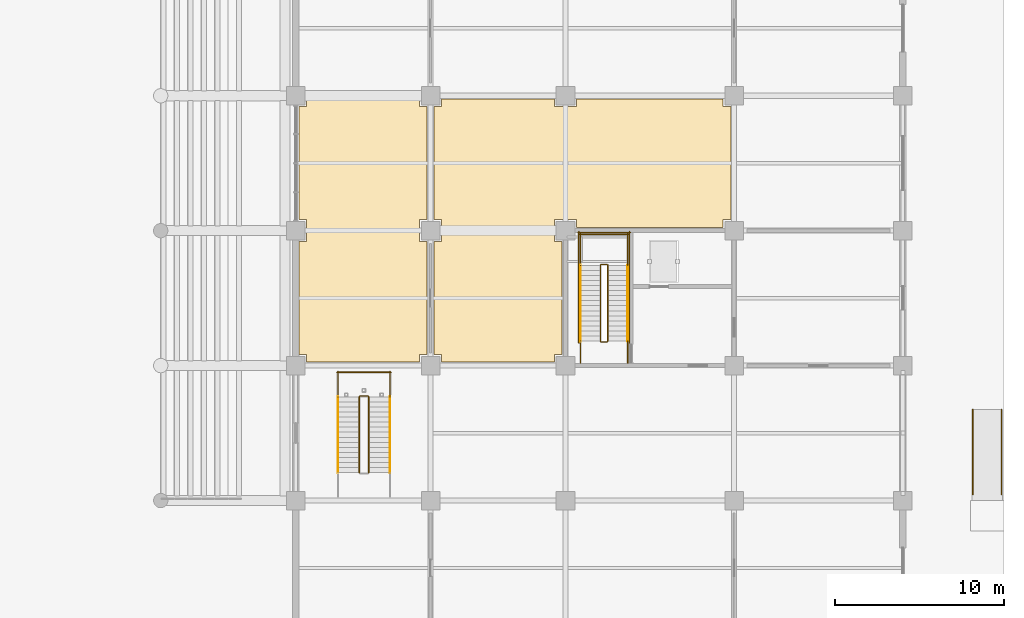
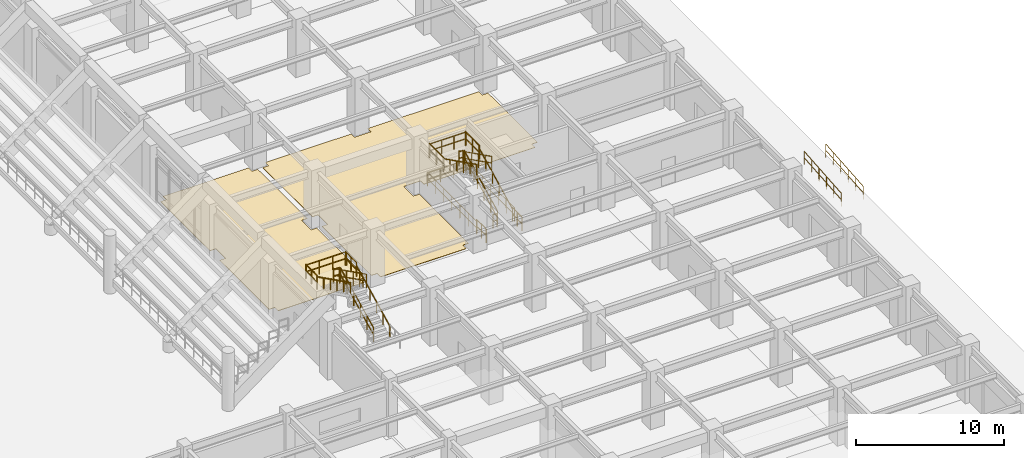
# One storey, part 117 of 125: 24 railings, 2 coverings.
"""IFC4 building model written with IfcOpenShell, lengths in metres."""

from ifc_helpers import new_model, si_unit, direction, frame, origin, origin_2d, place, context, subcontext, project, spatial, polyline, circle, outline, extrude, material, layer, layer_set, type_object, element, save


model = new_model("IFC4")

# Units and contexts
model_context = context("Model", 3, precision=1e-05, world=origin(), true_north=direction((0.0, 1.0)))
body_context = subcontext(model_context, "Body", "Model", "MODEL_VIEW")
ifc_project = project(units=[si_unit("LENGTHUNIT", "METRE"), si_unit("AREAUNIT", "SQUARE_METRE"), si_unit("VOLUMEUNIT", "CUBIC_METRE"), si_unit("PLANEANGLEUNIT", "RADIAN"), si_unit("MASSUNIT", "GRAM", prefix="KILO")], contexts=[model_context])

# Site, building, storey
site_placement = place(None, origin())
site = spatial("IfcSite", under=ifc_project, at=site_placement, CompositionType="ELEMENT")
building_placement = place(site_placement, origin())
building = spatial("IfcBuilding", under=site, at=building_placement, Name="Haebicheon Civic Stadium", CompositionType="ELEMENT")
storey_placement = place(building_placement, origin())
storey = spatial("IfcBuildingStorey", under=building, at=storey_placement, Name="L01", CompositionType="ELEMENT", Elevation=0.0)

# Coverings
ifc_material_1 = material(Name="Quartz epoxy resin mortar", Category="concrete")
ifc_layer = layer(ifc_material_1, 0.030029296875, Name="Quartz epoxy resin mortar")
ifc_layer_set = layer_set([ifc_layer], Name="Quartz epoxy resin mortar")
covering_type = type_object("IfcCoveringType", Name="COV-FLR-EPX", PredefinedType="FLOORING", material=ifc_layer_set)
covering_1_placement = place(storey_placement, origin())
element("IfcCovering", 1, at=covering_1_placement, inside=storey, type_object=covering_type, material=ifc_layer_set, Name="L01 Community Stand Concourse non-slip floor finish", PredefinedType="FLOORING", context=body_context, shape_type="SweptSolid", body=[
    extrude(outline(polyline([(200.64990234375, 64.199951171875), (200.64990234375, 64.64990234375), (200.199951171875, 64.64990234375), (200.199951171875, 71.35009765625), (200.64990234375, 71.35009765625), (200.64990234375, 72.64990234375), (200.199951171875, 72.64990234375), (200.199951171875, 79.35009765625), (200.64990234375, 79.35009765625), (200.64990234375, 79.800048828125), (207.35009765625, 79.800048828125), (207.35009765625, 79.35009765625), (207.800048828125, 79.35009765625), (207.800048828125, 72.64990234375), (207.35009765625, 72.64990234375), (207.35009765625, 71.35009765625), (207.800048828125, 71.35009765625), (207.800048828125, 64.64990234375), (207.35009765625, 64.64990234375), (207.35009765625, 64.199951171875), (200.64990234375, 64.199951171875)])), origin(), (0.0, 0.0, 1.0), 0.030029296875),
])
covering_2_placement = place(storey_placement, origin())
element("IfcCovering", 2, at=covering_2_placement, inside=storey, type_object=covering_type, material=ifc_layer_set, Name="L01 Community Athletics Reception non-slip floor finish", PredefinedType="FLOORING", context=body_context, shape_type="SweptSolid", body=[
    extrude(outline(polyline([(208.64990234375, 64.199951171875), (208.64990234375, 64.64990234375), (208.199951171875, 64.64990234375), (208.199951171875, 71.35009765625), (208.64990234375, 71.35009765625), (208.64990234375, 72.64990234375), (208.199951171875, 72.64990234375), (208.199951171875, 79.35009765625), (208.64990234375, 79.35009765625), (208.64990234375, 79.800048828125), (215.35009765625, 79.800048828125), (215.35009765625, 79.35009765625), (216.64990234375, 79.35009765625), (216.64990234375, 79.800048828125), (225.35009765625, 79.800048828125), (225.35009765625, 79.35009765625), (225.800048828125, 79.35009765625), (225.800048828125, 72.64990234375), (225.35009765625, 72.64990234375), (225.35009765625, 72.199951171875), (216.64990234375, 72.199951171875), (216.64990234375, 72.64990234375), (215.35009765625, 72.64990234375), (215.35009765625, 71.35009765625), (215.800048828125, 71.35009765625), (215.800048828125, 64.64990234375), (215.35009765625, 64.64990234375), (215.35009765625, 64.199951171875), (208.64990234375, 64.199951171875)])), origin(), (0.0, 0.0, 1.0), 0.030029296875),
])

# Railings
ifc_material_2 = material(Name="Stainless steel 316 and laminated glass", Category="steel")
railing_type_1 = type_object("IfcRailingType", Name="RL-BAL-1200", PredefinedType="BALUSTRADE", material=ifc_material_2)
for number, where, name in (
    (3, (240.14990234375, 56.360107421875, -0.419921875), "Ramp handrail guard RMP-04 L"),
    (4, (241.85009765625, 56.360107421875, -0.419921875), "Ramp handrail guard RMP-04 R"),
):
    element("IfcRailing", number, at=place(storey_placement, frame(where)), inside=storey, type_object=railing_type_1, material=ifc_material_2, Name=name, PredefinedType="BALUSTRADE", context=body_context, shape_type="SweptSolid", body=[
        extrude(circle(Radius=0.02392578125, at=origin_2d()), frame((0.0, 0.0, 1.076171875), z_axis=(0.0, 0.996546756972, 0.083033494259), x_axis=(-1.0, 0.0, 0.0)), (0.0, 0.0, 1.0), 5.057373046875),
        extrude(circle(Radius=0.02392578125, at=origin_2d()), frame((0.0, 0.0, 0.550048828125), z_axis=(0.0, 0.996546756972, 0.083033494259), x_axis=(-1.0, 0.0, 0.0)), (0.0, 0.0, 1.0), 5.057373046875),
        extrude(circle(Radius=0.02099609375, at=origin_2d()), origin(), (0.0, 0.0, 1.0), 1.052001953125),
        extrude(circle(Radius=0.02099609375, at=origin_2d()), frame((0.0, 1.008056640625, 0.083984375)), (0.0, 0.0, 1.0), 1.052001953125),
        extrude(circle(Radius=0.02099609375, at=origin_2d()), frame((0.0, 2.015869140625, 0.16796875)), (0.0, 0.0, 1.0), 1.052001953125),
        extrude(circle(Radius=0.02099609375, at=origin_2d()), frame((0.0, 3.02392578125, 0.251953125)), (0.0, 0.0, 1.0), 1.052001953125),
        extrude(circle(Radius=0.02099609375, at=origin_2d()), frame((0.0, 4.03173828125, 0.3359375)), (0.0, 0.0, 1.0), 1.052001953125),
        extrude(circle(Radius=0.02099609375, at=origin_2d()), frame((0.0, 5.039794921875, 0.419921875)), (0.0, 0.0, 1.0), 1.052001953125),
    ])
ifc_material_3 = material(Name="Galvanised painted steel SM355", Category="steel")
railing_type_2 = type_object("IfcRailingType", Name="RL-GRD-1150", PredefinedType="GUARDRAIL", material=ifc_material_3)
railing_1_placement = place(storey_placement, frame((218.510009765625, 65.449951171875, 0.14990234375)))
element("IfcRailing", 5, at=railing_1_placement, inside=storey, type_object=railing_type_2, material=ifc_material_3, Name="L01 ST-12 stair guard 1", PredefinedType="GUARDRAIL", context=body_context, shape_type="SweptSolid", body=[
    extrude(circle(Radius=0.02392578125, at=origin_2d()), frame((0.0, 0.0, 1.1259765625), z_axis=(0.0, 0.894427191, 0.4472135955), x_axis=(-1.0, 0.0, 0.0)), (0.0, 0.0, 1.0), 5.03125),
    extrude(circle(Radius=0.02392578125, at=origin_2d()), frame((0.0, 0.0, 0.574951171875), z_axis=(0.0, 0.894427191, 0.4472135955), x_axis=(-1.0, 0.0, 0.0)), (0.0, 0.0, 1.0), 5.03125),
    extrude(circle(Radius=0.02099609375, at=origin_2d()), origin(), (0.0, 0.0, 1.0), 1.101806640625),
    extrude(circle(Radius=0.02099609375, at=origin_2d()), frame((0.0, 0.89990234375, 0.449951171875)), (0.0, 0.0, 1.0), 1.101806640625),
    extrude(circle(Radius=0.02099609375, at=origin_2d()), frame((0.0, 1.800048828125, 0.89990234375)), (0.0, 0.0, 1.0), 1.101806640625),
    extrude(circle(Radius=0.02099609375, at=origin_2d()), frame((0.0, 2.699951171875, 1.35009765625)), (0.0, 0.0, 1.0), 1.101806640625),
    extrude(circle(Radius=0.02099609375, at=origin_2d()), frame((0.0, 3.60009765625, 1.800048828125)), (0.0, 0.0, 1.0), 1.101806640625),
    extrude(circle(Radius=0.02099609375, at=origin_2d()), frame((0.0, 4.5, 2.25)), (0.0, 0.0, 1.0), 1.101806640625),
])
railing_2_placement = place(storey_placement, frame((218.4599609375, 70.0, 2.39990234375)))
element("IfcRailing", 6, at=railing_2_placement, inside=storey, type_object=railing_type_2, material=ifc_material_3, Name="L01 ST-12 stair guard 2", PredefinedType="GUARDRAIL", context=body_context, shape_type="SweptSolid", body=[
    extrude(circle(Radius=0.02392578125, at=origin_2d()), frame((0.0, 0.0, 1.1259765625), z_axis=(-1.0, 0.0, 0.0), x_axis=(0.0, -1.0, 0.0)), (0.0, 0.0, 1.0), 0.33984375),
    extrude(circle(Radius=0.02392578125, at=origin_2d()), frame((0.0, 0.0, 0.574951171875), z_axis=(-1.0, 0.0, 0.0), x_axis=(0.0, -1.0, 0.0)), (0.0, 0.0, 1.0), 0.33984375),
    extrude(circle(Radius=0.02099609375, at=origin_2d()), origin(), (0.0, 0.0, 1.0), 1.101806640625),
    extrude(circle(Radius=0.02099609375, at=origin_2d()), frame((-0.33984375, 0.0, 0.0)), (0.0, 0.0, 1.0), 1.101806640625),
])
for number, where, name in (
    (7, (219.68994140625, 69.949951171875, 2.39990234375), "L01 ST-12 stair guard 3"),
    (8, (216.889892578125, 69.949951171875, 2.39990234375), "L01 ST-12 stair guard 4"),
):
    element("IfcRailing", number, at=place(storey_placement, frame(where)), inside=storey, type_object=railing_type_2, material=ifc_material_3, Name=name, PredefinedType="GUARDRAIL", context=body_context, shape_type="SweptSolid", body=[
        extrude(circle(Radius=0.02392578125, at=origin_2d()), frame((0.0, 0.0, 1.1259765625), z_axis=(0.0, 1.0, 0.0), x_axis=(-1.0, 0.0, 0.0)), (0.0, 0.0, 1.0), 1.89013671875),
        extrude(circle(Radius=0.02392578125, at=origin_2d()), frame((0.0, 0.0, 0.574951171875), z_axis=(0.0, 1.0, 0.0), x_axis=(-1.0, 0.0, 0.0)), (0.0, 0.0, 1.0), 1.89013671875),
        extrude(circle(Radius=0.02099609375, at=origin_2d()), origin(), (0.0, 0.0, 1.0), 1.101806640625),
        extrude(circle(Radius=0.02099609375, at=origin_2d()), frame((0.0, 0.945068359375, 0.0)), (0.0, 0.0, 1.0), 1.101806640625),
        extrude(circle(Radius=0.02099609375, at=origin_2d()), frame((0.0, 1.89013671875, 0.0)), (0.0, 0.0, 1.0), 1.101806640625),
    ])
railing_3_placement = place(storey_placement, frame((219.739990234375, 71.7900390625, 2.39990234375)))
element("IfcRailing", 9, at=railing_3_placement, inside=storey, type_object=railing_type_2, material=ifc_material_3, Name="L01 ST-12 stair guard 5", PredefinedType="GUARDRAIL", context=body_context, shape_type="SweptSolid", body=[
    extrude(circle(Radius=0.02392578125, at=origin_2d()), frame((0.0, 0.0, 1.1259765625), z_axis=(-1.0, 0.0, 0.0), x_axis=(0.0, -1.0, 0.0)), (0.0, 0.0, 1.0), 2.89990234375),
    extrude(circle(Radius=0.02392578125, at=origin_2d()), frame((0.0, 0.0, 0.574951171875), z_axis=(-1.0, 0.0, 0.0), x_axis=(0.0, -1.0, 0.0)), (0.0, 0.0, 1.0), 2.89990234375),
    extrude(circle(Radius=0.02099609375, at=origin_2d()), origin(), (0.0, 0.0, 1.0), 1.101806640625),
    extrude(circle(Radius=0.02099609375, at=origin_2d()), frame((-0.966552734375, 0.0, 0.0)), (0.0, 0.0, 1.0), 1.101806640625),
    extrude(circle(Radius=0.02099609375, at=origin_2d()), frame((-1.933349609375, 0.0, 0.0)), (0.0, 0.0, 1.0), 1.101806640625),
    extrude(circle(Radius=0.02099609375, at=origin_2d()), frame((-2.89990234375, 0.0, 0.0)), (0.0, 0.0, 1.0), 1.101806640625),
])
railing_4_placement = place(storey_placement, frame((218.070068359375, 69.949951171875, 2.550048828125)))
element("IfcRailing", 10, at=railing_4_placement, inside=storey, type_object=railing_type_2, material=ifc_material_3, Name="L01 ST-12 stair guard 6", PredefinedType="GUARDRAIL", context=body_context, shape_type="SweptSolid", body=[
    extrude(circle(Radius=0.02392578125, at=origin_2d()), frame((0.0, 0.0, 1.1259765625), z_axis=(0.0, -0.894427191, 0.4472135955), x_axis=(1.0, 0.0, 0.0)), (0.0, 0.0, 1.0), 5.03125),
    extrude(circle(Radius=0.02392578125, at=origin_2d()), frame((0.0, 0.0, 0.574951171875), z_axis=(0.0, -0.894427191, 0.4472135955), x_axis=(1.0, 0.0, 0.0)), (0.0, 0.0, 1.0), 5.03125),
    extrude(circle(Radius=0.02099609375, at=origin_2d()), origin(), (0.0, 0.0, 1.0), 1.101806640625),
    extrude(circle(Radius=0.02099609375, at=origin_2d()), frame((0.0, -0.89990234375, 0.449951171875)), (0.0, 0.0, 1.0), 1.101806640625),
    extrude(circle(Radius=0.02099609375, at=origin_2d()), frame((0.0, -1.800048828125, 0.89990234375)), (0.0, 0.0, 1.0), 1.101806640625),
    extrude(circle(Radius=0.02099609375, at=origin_2d()), frame((0.0, -2.699951171875, 1.35009765625)), (0.0, 0.0, 1.0), 1.101806640625),
    extrude(circle(Radius=0.02099609375, at=origin_2d()), frame((0.0, -3.60009765625, 1.800048828125)), (0.0, 0.0, 1.0), 1.101806640625),
    extrude(circle(Radius=0.02099609375, at=origin_2d()), frame((0.0, -4.5, 2.25)), (0.0, 0.0, 1.0), 1.101806640625),
])
railing_5_placement = place(storey_placement, frame((218.4599609375, 65.39990234375, 0.0)))
element("IfcRailing", 11, at=railing_5_placement, inside=storey, type_object=railing_type_2, material=ifc_material_3, Name="L01 ST-12 stair guard 7", PredefinedType="GUARDRAIL", context=body_context, shape_type="SweptSolid", body=[
    extrude(circle(Radius=0.02392578125, at=origin_2d()), frame((0.0, 0.0, 1.1259765625), z_axis=(-1.0, 0.0, 0.0), x_axis=(0.0, -1.0, 0.0)), (0.0, 0.0, 1.0), 0.33984375),
    extrude(circle(Radius=0.02392578125, at=origin_2d()), frame((0.0, 0.0, 0.574951171875), z_axis=(-1.0, 0.0, 0.0), x_axis=(0.0, -1.0, 0.0)), (0.0, 0.0, 1.0), 0.33984375),
    extrude(circle(Radius=0.02099609375, at=origin_2d()), origin(), (0.0, 0.0, 1.0), 1.101806640625),
    extrude(circle(Radius=0.02099609375, at=origin_2d()), frame((-0.33984375, 0.0, 0.0)), (0.0, 0.0, 1.0), 1.101806640625),
])
for number, where, name in (
    (12, (219.68994140625, 64.159912109375, 0.0), "L01 ST-12 stair guard 8"),
    (13, (216.889892578125, 64.159912109375, 0.0), "L01 ST-12 stair guard 9"),
):
    element("IfcRailing", number, at=place(storey_placement, frame(where)), inside=storey, type_object=railing_type_2, material=ifc_material_3, Name=name, PredefinedType="GUARDRAIL", context=body_context, shape_type="SweptSolid", body=[
        extrude(circle(Radius=0.02392578125, at=origin_2d()), frame((0.0, 0.0, 1.1259765625), z_axis=(0.0, 1.0, 0.0), x_axis=(-1.0, 0.0, 0.0)), (0.0, 0.0, 1.0), 1.2900390625),
        extrude(circle(Radius=0.02392578125, at=origin_2d()), frame((0.0, 0.0, 0.574951171875), z_axis=(0.0, 1.0, 0.0), x_axis=(-1.0, 0.0, 0.0)), (0.0, 0.0, 1.0), 1.2900390625),
        extrude(circle(Radius=0.02099609375, at=origin_2d()), origin(), (0.0, 0.0, 1.0), 1.101806640625),
        extrude(circle(Radius=0.02099609375, at=origin_2d()), frame((0.0, 0.64501953125, 0.0)), (0.0, 0.0, 1.0), 1.101806640625),
        extrude(circle(Radius=0.02099609375, at=origin_2d()), frame((0.0, 1.2900390625, 0.0)), (0.0, 0.0, 1.0), 1.101806640625),
    ])
for number, where, name in (
    (14, (219.7900390625, 65.35009765625, 0.0), "L01 ST-12 stair guard 10"),
    (15, (216.7900390625, 65.35009765625, 0.0), "L01 ST-12 stair guard 11"),
):
    element("IfcRailing", number, at=place(storey_placement, frame(where)), inside=storey, type_object=railing_type_2, material=ifc_material_3, Name=name, PredefinedType="GUARDRAIL", context=body_context, shape_type="SweptSolid", body=[
        extrude(circle(Radius=0.02392578125, at=origin_2d()), frame((0.0, 0.0, 1.1259765625), z_axis=(0.0, 1.0, 0.0), x_axis=(-1.0, 0.0, 0.0)), (0.0, 0.0, 1.0), 6.58984375),
        extrude(circle(Radius=0.02392578125, at=origin_2d()), frame((0.0, 0.0, 0.574951171875), z_axis=(0.0, 1.0, 0.0), x_axis=(-1.0, 0.0, 0.0)), (0.0, 0.0, 1.0), 6.58984375),
        extrude(circle(Radius=0.02099609375, at=origin_2d()), origin(), (0.0, 0.0, 1.0), 1.101806640625),
        extrude(circle(Radius=0.02099609375, at=origin_2d()), frame((0.0, 1.098388671875, 0.0)), (0.0, 0.0, 1.0), 1.101806640625),
        extrude(circle(Radius=0.02099609375, at=origin_2d()), frame((0.0, 2.196533203125, 0.0)), (0.0, 0.0, 1.0), 1.101806640625),
        extrude(circle(Radius=0.02099609375, at=origin_2d()), frame((0.0, 3.294921875, 0.0)), (0.0, 0.0, 1.0), 1.101806640625),
        extrude(circle(Radius=0.02099609375, at=origin_2d()), frame((0.0, 4.393310546875, 0.0)), (0.0, 0.0, 1.0), 1.101806640625),
        extrude(circle(Radius=0.02099609375, at=origin_2d()), frame((0.0, 5.491455078125, 0.0)), (0.0, 0.0, 1.0), 1.101806640625),
        extrude(circle(Radius=0.02099609375, at=origin_2d()), frame((0.0, 6.58984375, 0.0)), (0.0, 0.0, 1.0), 1.101806640625),
    ])
railing_6_placement = place(storey_placement, frame((219.840087890625, 71.889892578125, 0.0)))
element("IfcRailing", 16, at=railing_6_placement, inside=storey, type_object=railing_type_2, material=ifc_material_3, Name="L01 ST-12 stair guard 12", PredefinedType="GUARDRAIL", context=body_context, shape_type="SweptSolid", body=[
    extrude(circle(Radius=0.02392578125, at=origin_2d()), frame((0.0, 0.0, 1.1259765625), z_axis=(-1.0, 0.0, 0.0), x_axis=(0.0, -1.0, 0.0)), (0.0, 0.0, 1.0), 3.10009765625),
    extrude(circle(Radius=0.02392578125, at=origin_2d()), frame((0.0, 0.0, 0.574951171875), z_axis=(-1.0, 0.0, 0.0), x_axis=(0.0, -1.0, 0.0)), (0.0, 0.0, 1.0), 3.10009765625),
    extrude(circle(Radius=0.02099609375, at=origin_2d()), origin(), (0.0, 0.0, 1.0), 1.101806640625),
    extrude(circle(Radius=0.02099609375, at=origin_2d()), frame((-1.033447265625, 0.0, 0.0)), (0.0, 0.0, 1.0), 1.101806640625),
    extrude(circle(Radius=0.02099609375, at=origin_2d()), frame((-2.066650390625, 0.0, 0.0)), (0.0, 0.0, 1.0), 1.101806640625),
    extrude(circle(Radius=0.02099609375, at=origin_2d()), frame((-3.10009765625, 0.0, 0.0)), (0.0, 0.0, 1.0), 1.101806640625),
])
railing_7_placement = place(storey_placement, frame((204.330078125, 57.64990234375, 0.14990234375)))
element("IfcRailing", 17, at=railing_7_placement, inside=storey, type_object=railing_type_2, material=ifc_material_3, Name="L01 VM-11 stair guard 1", PredefinedType="GUARDRAIL", context=body_context, shape_type="SweptSolid", body=[
    extrude(circle(Radius=0.02392578125, at=origin_2d()), frame((0.0, 0.0, 1.1259765625), z_axis=(0.0, 0.894427191, 0.4472135955), x_axis=(-1.0, 0.0, 0.0)), (0.0, 0.0, 1.0), 5.03125),
    extrude(circle(Radius=0.02392578125, at=origin_2d()), frame((0.0, 0.0, 0.574951171875), z_axis=(0.0, 0.894427191, 0.4472135955), x_axis=(-1.0, 0.0, 0.0)), (0.0, 0.0, 1.0), 5.03125),
    extrude(circle(Radius=0.02099609375, at=origin_2d()), origin(), (0.0, 0.0, 1.0), 1.101806640625),
    extrude(circle(Radius=0.02099609375, at=origin_2d()), frame((0.0, 0.89990234375, 0.449951171875)), (0.0, 0.0, 1.0), 1.101806640625),
    extrude(circle(Radius=0.02099609375, at=origin_2d()), frame((0.0, 1.800048828125, 0.89990234375)), (0.0, 0.0, 1.0), 1.101806640625),
    extrude(circle(Radius=0.02099609375, at=origin_2d()), frame((0.0, 2.699951171875, 1.35009765625)), (0.0, 0.0, 1.0), 1.101806640625),
    extrude(circle(Radius=0.02099609375, at=origin_2d()), frame((0.0, 3.60009765625, 1.800048828125)), (0.0, 0.0, 1.0), 1.101806640625),
    extrude(circle(Radius=0.02099609375, at=origin_2d()), frame((0.0, 4.5, 2.25)), (0.0, 0.0, 1.0), 1.101806640625),
])
railing_8_placement = place(storey_placement, frame((204.280029296875, 62.199951171875, 2.39990234375)))
element("IfcRailing", 18, at=railing_8_placement, inside=storey, type_object=railing_type_2, material=ifc_material_3, Name="L01 VM-11 stair guard 2", PredefinedType="GUARDRAIL", context=body_context, shape_type="SweptSolid", body=[
    extrude(circle(Radius=0.02392578125, at=origin_2d()), frame((0.0, 0.0, 1.1259765625), z_axis=(-1.0, 0.0, 0.0), x_axis=(0.0, -1.0, 0.0)), (0.0, 0.0, 1.0), 0.4599609375),
    extrude(circle(Radius=0.02392578125, at=origin_2d()), frame((0.0, 0.0, 0.574951171875), z_axis=(-1.0, 0.0, 0.0), x_axis=(0.0, -1.0, 0.0)), (0.0, 0.0, 1.0), 0.4599609375),
    extrude(circle(Radius=0.02099609375, at=origin_2d()), origin(), (0.0, 0.0, 1.0), 1.101806640625),
    extrude(circle(Radius=0.02099609375, at=origin_2d()), frame((-0.4599609375, 0.0, 0.0)), (0.0, 0.0, 1.0), 1.101806640625),
])
for number, where, name in (
    (19, (205.590087890625, 62.14990234375, 2.39990234375), "L01 VM-11 stair guard 3"),
    (20, (202.510009765625, 62.14990234375, 2.39990234375), "L01 VM-11 stair guard 4"),
):
    element("IfcRailing", number, at=place(storey_placement, frame(where)), inside=storey, type_object=railing_type_2, material=ifc_material_3, Name=name, PredefinedType="GUARDRAIL", context=body_context, shape_type="SweptSolid", body=[
        extrude(circle(Radius=0.02392578125, at=origin_2d()), frame((0.0, 0.0, 1.1259765625), z_axis=(0.0, 1.0, 0.0), x_axis=(-1.0, 0.0, 0.0)), (0.0, 0.0, 1.0), 1.5),
        extrude(circle(Radius=0.02392578125, at=origin_2d()), frame((0.0, 0.0, 0.574951171875), z_axis=(0.0, 1.0, 0.0), x_axis=(-1.0, 0.0, 0.0)), (0.0, 0.0, 1.0), 1.5),
        extrude(circle(Radius=0.02099609375, at=origin_2d()), origin(), (0.0, 0.0, 1.0), 1.101806640625),
        extrude(circle(Radius=0.02099609375, at=origin_2d()), frame((0.0, 0.75, 0.0)), (0.0, 0.0, 1.0), 1.101806640625),
        extrude(circle(Radius=0.02099609375, at=origin_2d()), frame((0.0, 1.5, 0.0)), (0.0, 0.0, 1.0), 1.101806640625),
    ])
railing_9_placement = place(storey_placement, frame((205.639892578125, 63.60009765625, 2.39990234375)))
element("IfcRailing", 21, at=railing_9_placement, inside=storey, type_object=railing_type_2, material=ifc_material_3, Name="L01 VM-11 stair guard 5", PredefinedType="GUARDRAIL", context=body_context, shape_type="SweptSolid", body=[
    extrude(circle(Radius=0.02392578125, at=origin_2d()), frame((0.0, 0.0, 1.1259765625), z_axis=(-1.0, 0.0, 0.0), x_axis=(0.0, -1.0, 0.0)), (0.0, 0.0, 1.0), 3.179931640625),
    extrude(circle(Radius=0.02392578125, at=origin_2d()), frame((0.0, 0.0, 0.574951171875), z_axis=(-1.0, 0.0, 0.0), x_axis=(0.0, -1.0, 0.0)), (0.0, 0.0, 1.0), 3.179931640625),
    extrude(circle(Radius=0.02099609375, at=origin_2d()), origin(), (0.0, 0.0, 1.0), 1.101806640625),
    extrude(circle(Radius=0.02099609375, at=origin_2d()), frame((-1.06005859375, 0.0, 0.0)), (0.0, 0.0, 1.0), 1.101806640625),
    extrude(circle(Radius=0.02099609375, at=origin_2d()), frame((-2.119873046875, 0.0, 0.0)), (0.0, 0.0, 1.0), 1.101806640625),
    extrude(circle(Radius=0.02099609375, at=origin_2d()), frame((-3.179931640625, 0.0, 0.0)), (0.0, 0.0, 1.0), 1.101806640625),
])
railing_10_placement = place(storey_placement, frame((203.77001953125, 62.14990234375, 2.550048828125)))
element("IfcRailing", 22, at=railing_10_placement, inside=storey, type_object=railing_type_2, material=ifc_material_3, Name="L01 VM-11 stair guard 6", PredefinedType="GUARDRAIL", context=body_context, shape_type="SweptSolid", body=[
    extrude(circle(Radius=0.02392578125, at=origin_2d()), frame((0.0, 0.0, 1.1259765625), z_axis=(0.0, -0.894427191, 0.4472135955), x_axis=(1.0, 0.0, 0.0)), (0.0, 0.0, 1.0), 5.03125),
    extrude(circle(Radius=0.02392578125, at=origin_2d()), frame((0.0, 0.0, 0.574951171875), z_axis=(0.0, -0.894427191, 0.4472135955), x_axis=(1.0, 0.0, 0.0)), (0.0, 0.0, 1.0), 5.03125),
    extrude(circle(Radius=0.02099609375, at=origin_2d()), origin(), (0.0, 0.0, 1.0), 1.101806640625),
    extrude(circle(Radius=0.02099609375, at=origin_2d()), frame((0.0, -0.89990234375, 0.449951171875)), (0.0, 0.0, 1.0), 1.101806640625),
    extrude(circle(Radius=0.02099609375, at=origin_2d()), frame((0.0, -1.800048828125, 0.89990234375)), (0.0, 0.0, 1.0), 1.101806640625),
    extrude(circle(Radius=0.02099609375, at=origin_2d()), frame((0.0, -2.699951171875, 1.35009765625)), (0.0, 0.0, 1.0), 1.101806640625),
    extrude(circle(Radius=0.02099609375, at=origin_2d()), frame((0.0, -3.60009765625, 1.800048828125)), (0.0, 0.0, 1.0), 1.101806640625),
    extrude(circle(Radius=0.02099609375, at=origin_2d()), frame((0.0, -4.5, 2.25)), (0.0, 0.0, 1.0), 1.101806640625),
])
ifc_material_4 = material(Name="Stainless steel 316", Category="steel")
railing_type_3 = type_object("IfcRailingType", Name="RL-HND-900", PredefinedType="HANDRAIL", material=ifc_material_4)
railing_11_placement = place(storey_placement, frame((219.68994140625, 65.449951171875, 0.14990234375)))
element("IfcRailing", 23, at=railing_11_placement, inside=storey, type_object=railing_type_3, material=ifc_material_4, Name="L01 ST-12 stair handrail 1", PredefinedType="HANDRAIL", context=body_context, shape_type="SweptSolid", body=[
    extrude(circle(Radius=0.02392578125, at=origin_2d()), frame((0.0, 0.0, 0.8759765625), z_axis=(0.0, 0.894427191, 0.4472135955), x_axis=(-1.0, 0.0, 0.0)), (0.0, 0.0, 1.0), 5.03125),
    extrude(circle(Radius=0.02099609375, at=origin_2d()), origin(), (0.0, 0.0, 1.0), 0.851806640625),
    extrude(circle(Radius=0.02099609375, at=origin_2d()), frame((0.0, 0.89990234375, 0.449951171875)), (0.0, 0.0, 1.0), 0.851806640625),
    extrude(circle(Radius=0.02099609375, at=origin_2d()), frame((0.0, 1.800048828125, 0.89990234375)), (0.0, 0.0, 1.0), 0.851806640625),
    extrude(circle(Radius=0.02099609375, at=origin_2d()), frame((0.0, 2.699951171875, 1.35009765625)), (0.0, 0.0, 1.0), 0.851806640625),
    extrude(circle(Radius=0.02099609375, at=origin_2d()), frame((0.0, 3.60009765625, 1.800048828125)), (0.0, 0.0, 1.0), 0.851806640625),
    extrude(circle(Radius=0.02099609375, at=origin_2d()), frame((0.0, 4.5, 2.25)), (0.0, 0.0, 1.0), 0.851806640625),
])
railing_12_placement = place(storey_placement, frame((216.889892578125, 69.949951171875, 2.550048828125)))
element("IfcRailing", 24, at=railing_12_placement, inside=storey, type_object=railing_type_3, material=ifc_material_4, Name="L01 ST-12 stair handrail 2", PredefinedType="HANDRAIL", context=body_context, shape_type="SweptSolid", body=[
    extrude(circle(Radius=0.02392578125, at=origin_2d()), frame((0.0, 0.0, 0.8759765625), z_axis=(0.0, -0.894427191, 0.4472135955), x_axis=(1.0, 0.0, 0.0)), (0.0, 0.0, 1.0), 5.03125),
    extrude(circle(Radius=0.02099609375, at=origin_2d()), origin(), (0.0, 0.0, 1.0), 0.851806640625),
    extrude(circle(Radius=0.02099609375, at=origin_2d()), frame((0.0, -0.89990234375, 0.449951171875)), (0.0, 0.0, 1.0), 0.851806640625),
    extrude(circle(Radius=0.02099609375, at=origin_2d()), frame((0.0, -1.800048828125, 0.89990234375)), (0.0, 0.0, 1.0), 0.851806640625),
    extrude(circle(Radius=0.02099609375, at=origin_2d()), frame((0.0, -2.699951171875, 1.35009765625)), (0.0, 0.0, 1.0), 0.851806640625),
    extrude(circle(Radius=0.02099609375, at=origin_2d()), frame((0.0, -3.60009765625, 1.800048828125)), (0.0, 0.0, 1.0), 0.851806640625),
    extrude(circle(Radius=0.02099609375, at=origin_2d()), frame((0.0, -4.5, 2.25)), (0.0, 0.0, 1.0), 0.851806640625),
])
railing_13_placement = place(storey_placement, frame((205.590087890625, 57.64990234375, 0.14990234375)))
element("IfcRailing", 25, at=railing_13_placement, inside=storey, type_object=railing_type_3, material=ifc_material_4, Name="L01 VM-11 stair handrail 1", PredefinedType="HANDRAIL", context=body_context, shape_type="SweptSolid", body=[
    extrude(circle(Radius=0.02392578125, at=origin_2d()), frame((0.0, 0.0, 0.8759765625), z_axis=(0.0, 0.894427191, 0.4472135955), x_axis=(-1.0, 0.0, 0.0)), (0.0, 0.0, 1.0), 5.03125),
    extrude(circle(Radius=0.02099609375, at=origin_2d()), origin(), (0.0, 0.0, 1.0), 0.851806640625),
    extrude(circle(Radius=0.02099609375, at=origin_2d()), frame((0.0, 0.89990234375, 0.449951171875)), (0.0, 0.0, 1.0), 0.851806640625),
    extrude(circle(Radius=0.02099609375, at=origin_2d()), frame((0.0, 1.800048828125, 0.89990234375)), (0.0, 0.0, 1.0), 0.851806640625),
    extrude(circle(Radius=0.02099609375, at=origin_2d()), frame((0.0, 2.699951171875, 1.35009765625)), (0.0, 0.0, 1.0), 0.851806640625),
    extrude(circle(Radius=0.02099609375, at=origin_2d()), frame((0.0, 3.60009765625, 1.800048828125)), (0.0, 0.0, 1.0), 0.851806640625),
    extrude(circle(Radius=0.02099609375, at=origin_2d()), frame((0.0, 4.5, 2.25)), (0.0, 0.0, 1.0), 0.851806640625),
])
railing_14_placement = place(storey_placement, frame((202.510009765625, 62.14990234375, 2.550048828125)))
element("IfcRailing", 26, at=railing_14_placement, inside=storey, type_object=railing_type_3, material=ifc_material_4, Name="L01 VM-11 stair handrail 2", PredefinedType="HANDRAIL", context=body_context, shape_type="SweptSolid", body=[
    extrude(circle(Radius=0.02392578125, at=origin_2d()), frame((0.0, 0.0, 0.8759765625), z_axis=(0.0, -0.894427191, 0.4472135955), x_axis=(1.0, 0.0, 0.0)), (0.0, 0.0, 1.0), 5.03125),
    extrude(circle(Radius=0.02099609375, at=origin_2d()), origin(), (0.0, 0.0, 1.0), 0.851806640625),
    extrude(circle(Radius=0.02099609375, at=origin_2d()), frame((0.0, -0.89990234375, 0.449951171875)), (0.0, 0.0, 1.0), 0.851806640625),
    extrude(circle(Radius=0.02099609375, at=origin_2d()), frame((0.0, -1.800048828125, 0.89990234375)), (0.0, 0.0, 1.0), 0.851806640625),
    extrude(circle(Radius=0.02099609375, at=origin_2d()), frame((0.0, -2.699951171875, 1.35009765625)), (0.0, 0.0, 1.0), 0.851806640625),
    extrude(circle(Radius=0.02099609375, at=origin_2d()), frame((0.0, -3.60009765625, 1.800048828125)), (0.0, 0.0, 1.0), 0.851806640625),
    extrude(circle(Radius=0.02099609375, at=origin_2d()), frame((0.0, -4.5, 2.25)), (0.0, 0.0, 1.0), 0.851806640625),
])

save(model, "model.ifc")
